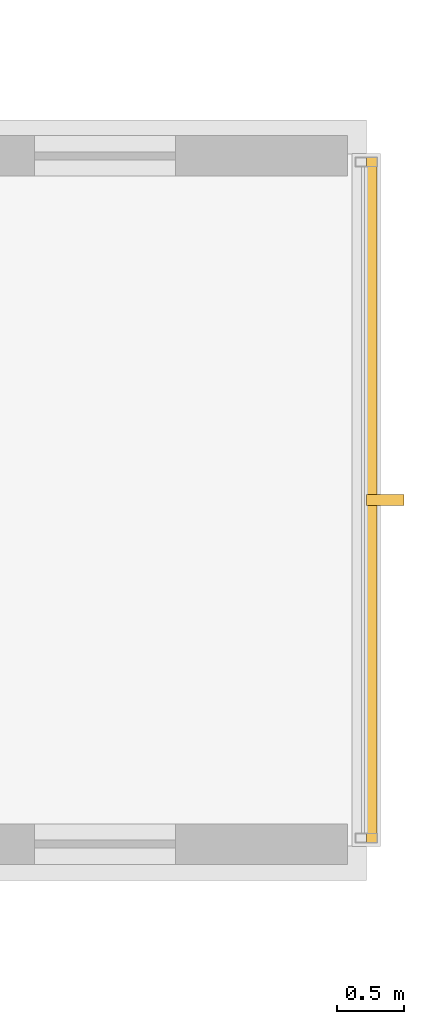
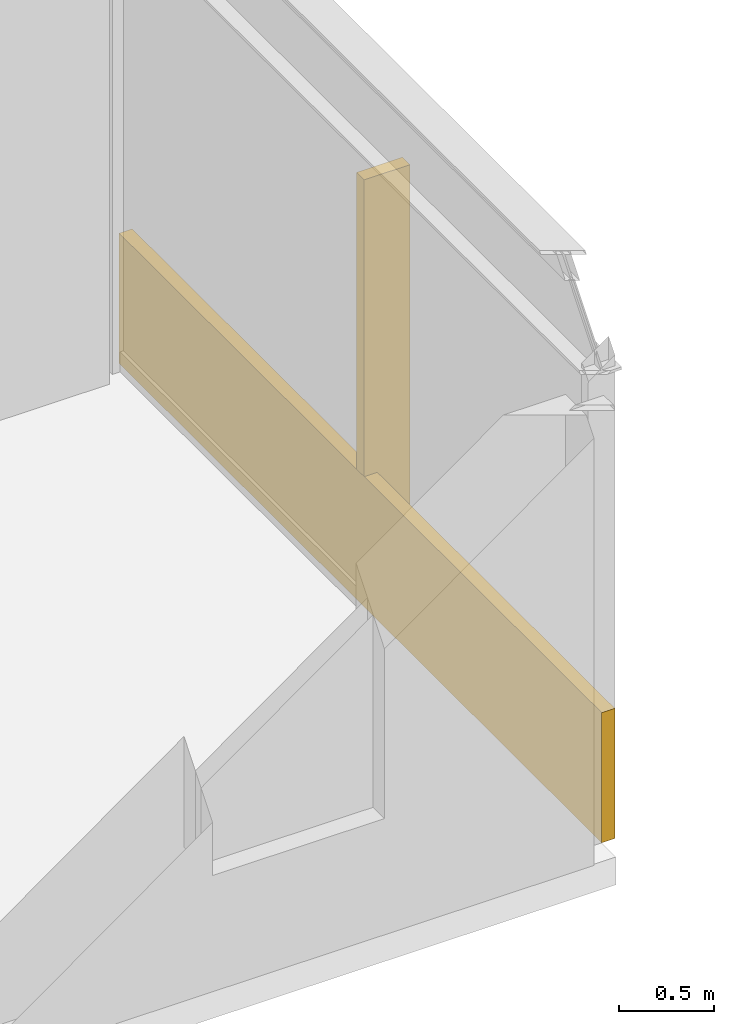
# One storey, part 28 of 29: 1 covering, 1 shading device.
"""IFC4 building model written with IfcOpenShell, lengths in metres."""

from ifc_helpers import new_model, si_unit, direction, frame, origin, origin_2d, place, context, subcontext, project, spatial, rectangle, extrude, material, layer, layer_set, type_object, element, save


model = new_model("IFC4")

# Units and contexts
model_context = context("Model", 3, precision=1e-05, world=origin(), true_north=direction((0.0, 1.0)))
body_context = subcontext(model_context, "Body", "Model", "MODEL_VIEW")
ifc_project = project(units=[si_unit("LENGTHUNIT", "METRE"), si_unit("AREAUNIT", "SQUARE_METRE"), si_unit("VOLUMEUNIT", "CUBIC_METRE"), si_unit("PLANEANGLEUNIT", "RADIAN"), si_unit("MASSUNIT", "GRAM", prefix="KILO")], contexts=[model_context])

# Site, building, storey
site_placement = place(None, origin())
site = spatial("IfcSite", under=ifc_project, at=site_placement, CompositionType="ELEMENT")
building_placement = place(site_placement, origin())
building = spatial("IfcBuilding", under=site, at=building_placement, Name="Surkhivell Harbour Commons", CompositionType="ELEMENT")
storey_placement = place(building_placement, frame((0.0, 0.0, 87.0)))
storey = spatial("IfcBuildingStorey", under=building, at=storey_placement, Name="L22", CompositionType="ELEMENT", Elevation=87.0)

# Covering
ifc_material_1 = material(Name="Cobalt-azure enamelled aluminium cassette panel", Category="aluminium")
ifc_layer = layer(ifc_material_1, 0.072021484375)
ifc_layer_set = layer_set([ifc_layer], Name="Cobalt-azure enamelled aluminium cassette panel")
covering_type = type_object("IfcCoveringType", Name="COV-CLAD-COB", PredefinedType="CLADDING", material=ifc_layer_set)
covering_placement = place(storey_placement, frame((25.93994140625, 8.10009765625, 0.0), z_axis=(0.0, 0.0, 1.0), x_axis=(1.0, 0.0, 0.0)))
element("IfcCovering", 1, at=covering_placement, inside=storey, type_object=covering_type, Name="L22 Coloured-Panel Box Spandrel Cassette 01", PredefinedType="CLADDING", context=body_context, shape_type="SweptSolid", body=[
    extrude(rectangle(XDim=0.080078125, YDim=5.10009765625, at=origin_2d()), origin(), (0.0, 0.0, 1.0), 0.840087890625),
])

# Shading device
ifc_material_2 = material(Name="Champagne anodised aluminium solar fin", Category="aluminium")
shading_device_type = type_object("IfcShadingDeviceType", Name="SHD-FIN-SLIM", PredefinedType="USERDEFINED", material=ifc_material_2)
shading_device_placement = place(storey_placement, frame((26.0400390625, 8.10009765625, 0.0048828125), z_axis=(0.0, 0.0, 1.0), x_axis=(1.0, 0.0, 0.0)))
element("IfcShadingDevice", 2, at=shading_device_placement, inside=storey, type_object=shading_device_type, Name="L22 Coloured-Box Solar Fin 01", ObjectType="FIN", PredefinedType="USERDEFINED", context=body_context, shape_type="SweptSolid", body=[
    extrude(rectangle(XDim=0.280029296875, YDim=0.080078125, at=origin_2d()), origin(), (0.0, 0.0, 1.0), 2.75),
])

save(model, "model.ifc")
